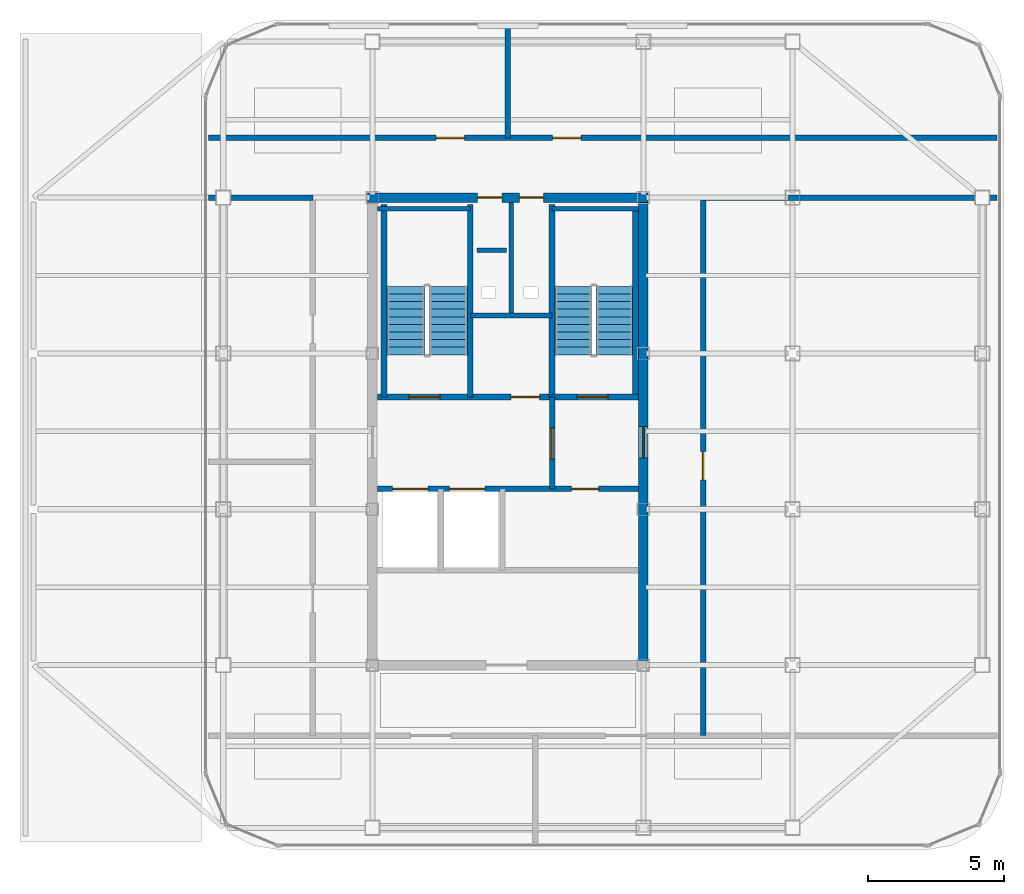
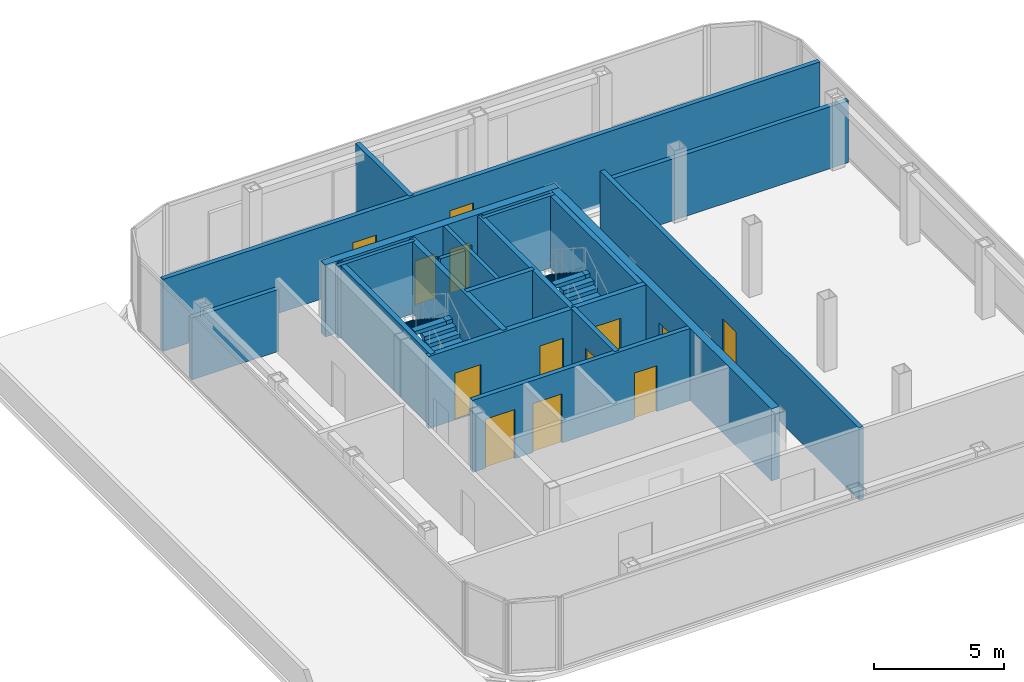
# One storey, part 10 of 11: 20 walls, 13 doors, 4 stair flights, 13 openings, 2 elements without a shape of their own.
"""IFC4 building model written with IfcOpenShell, lengths in metres."""

import ifcopenshell
import ifcopenshell.guid

model = None  # the IFC model being written
_history = None  # IfcOwnerHistory: only IFC2X3 demands one
_inside = {}  # id of a spatial element -> (the spatial element, [elements in it])
_under = {}  # id of a project, library or spatial element -> (it, [spatial elements below it])
_declared = {}  # id of a project -> (the project, [libraries it declares])
_typed = {}  # id of a type object -> (the type object, [elements of that type])
_made_of = {}  # id of a material, layer set ... -> (it, [elements and type objects made of it])


def new_model(schema):
    """Start an empty IFC model of exactly this schema.

    Asked for "IFC4X3", IfcOpenShell would pick the latest addendum, in which some entities
    have other attributes; the version numbers below select the first issue.
    IFC2X3 requires an IfcOwnerHistory on every rooted entity: one is made here for all.
    """
    global model, _history
    if schema == "IFC4X3":
        model = ifcopenshell.file(schema_version=(4, 3, 0, 0))
    else:
        model = ifcopenshell.file(schema=schema)
    _inside.clear()
    _under.clear()
    _declared.clear()
    _typed.clear()
    _made_of.clear()
    _history = None
    if model.schema == "IFC2X3":
        org = make("IfcOrganization", Name="unknown")
        user = make(
            "IfcPersonAndOrganization",
            ThePerson=make("IfcPerson", FamilyName="unknown"),
            TheOrganization=org,
        )
        app = make(
            "IfcApplication",
            ApplicationDeveloper=org,
            Version="unknown",
            ApplicationFullName="unknown",
            ApplicationIdentifier="unknown",
        )
        _history = make(
            "IfcOwnerHistory",
            OwningUser=user,
            OwningApplication=app,
            ChangeAction="ADDED",
            CreationDate=0,
        )
    return model


def make(cls, **values):
    """One entity of the class cls with the attributes given. An attribute that is None is left unset."""
    return model.create_entity(
        cls, **{name: value for name, value in values.items() if value is not None}
    )


def rooted(cls, **values):
    """An entity with a GlobalId (a new one), such as an element, a storey or a relation."""
    return make(cls, GlobalId=ifcopenshell.guid.new(), OwnerHistory=_history, **values)


def si_unit(unit_type, name, prefix=None):
    """IfcSIUnit, for example si_unit("LENGTHUNIT", "METRE", prefix="MILLI")."""
    return make("IfcSIUnit", UnitType=unit_type, Prefix=prefix, Name=name)


def assignment(units):
    """IfcUnitAssignment: the units of a project."""
    return None if units is None else make("IfcUnitAssignment", Units=units)


def point(xyz):
    """IfcCartesianPoint."""
    return None if xyz is None else make("IfcCartesianPoint", Coordinates=xyz)


def direction(xyz):
    """IfcDirection."""
    return None if xyz is None else make("IfcDirection", DirectionRatios=xyz)


def frame(location, z_axis=None, x_axis=None):
    """IfcAxis2Placement3D, a coordinate frame: its origin and axes. An axis left out is left unset."""
    return make(
        "IfcAxis2Placement3D",
        Location=point(location),
        Axis=direction(z_axis),
        RefDirection=direction(x_axis),
    )


def frame_2d(location, x_axis=None):
    """IfcAxis2Placement2D, a coordinate frame in the plane: its origin and x axis."""
    return make(
        "IfcAxis2Placement2D", Location=point(location), RefDirection=direction(x_axis)
    )


def origin():
    """The frame at (0, 0, 0) with its axes left unset."""
    return frame((0.0, 0.0, 0.0))


def place(relative_to, where):
    """IfcLocalPlacement: puts the frame where relative to a parent placement (None: the world)."""
    return make(
        "IfcLocalPlacement", PlacementRelTo=relative_to, RelativePlacement=where
    )


def context(
    kind, dimensions, precision=None, world=None, true_north=None, identifier=None
):
    """IfcGeometricRepresentationContext, for example the 3D "Model" context."""
    return make(
        "IfcGeometricRepresentationContext",
        ContextIdentifier=identifier,
        ContextType=kind,
        CoordinateSpaceDimension=dimensions,
        Precision=precision,
        WorldCoordinateSystem=world,
        TrueNorth=true_north,
    )


def subcontext(parent, identifier, kind, view, scale=None):
    """IfcGeometricRepresentationSubContext, for example "Body" below "Model"."""
    return make(
        "IfcGeometricRepresentationSubContext",
        ContextIdentifier=identifier,
        ContextType=kind,
        ParentContext=parent,
        TargetScale=scale,
        TargetView=view,
    )


def project(units=None, contexts=None):
    """IfcProject with its units and contexts."""
    return rooted(
        "IfcProject",
        Name="project",
        RepresentationContexts=contexts,
        UnitsInContext=assignment(units),
    )


def spatial(cls, under=None, at=None, **own):
    """A site, building, storey or space (cls), placed at a placement, below another one or the project."""
    s = rooted(cls, ObjectPlacement=at, **own)
    if under is not None:
        _under.setdefault(under.id(), (under, []))[1].append(s)
    return s


def polyline(points):
    """IfcPolyline through the points."""
    return make("IfcPolyline", Points=[point(p) for p in points])


def profile(cls, at=None, kind="AREA", **sizes):
    """A parametric profile (cls). Its sizes go by their IFC names, for example OverallWidth=200.0."""
    return make(cls, ProfileType=kind, Position=at, **sizes)


def rectangle(**sizes):
    """IfcRectangleProfileDef."""
    return profile("IfcRectangleProfileDef", **sizes)


def outline(outer, holes=None, kind="AREA"):
    """IfcArbitraryClosedProfileDef: a profile drawn as a closed curve; with holes, ...WithVoids."""
    if holes is None:
        return make("IfcArbitraryClosedProfileDef", ProfileType=kind, OuterCurve=outer)
    return make(
        "IfcArbitraryProfileDefWithVoids",
        ProfileType=kind,
        OuterCurve=outer,
        InnerCurves=holes,
    )


def extrude(swept, where, along, depth):
    """IfcExtrudedAreaSolid: the profile swept, set in the frame where, extruded along a direction by depth."""
    return make(
        "IfcExtrudedAreaSolid",
        SweptArea=swept,
        Position=where,
        ExtrudedDirection=direction(along),
        Depth=depth,
    )


def shape(context_of_items, identifier, shape_type, items):
    """IfcShapeRepresentation: the items that make up one representation, for example the "Body"."""
    return make(
        "IfcShapeRepresentation",
        ContextOfItems=context_of_items,
        RepresentationIdentifier=identifier,
        RepresentationType=shape_type,
        Items=items,
    )


def material(Name=None, Category=None):
    """IfcMaterial."""
    return make("IfcMaterial", Name=Name, Category=Category)


def layer(
    of_material, thickness, ventilated=None, Name=None, Category=None, Priority=None
):
    """IfcMaterialLayer: one layer of a wall or slab, of a material (None: an air gap)."""
    return make(
        "IfcMaterialLayer",
        Material=of_material,
        LayerThickness=thickness,
        IsVentilated=ventilated,
        Name=Name,
        Category=Category,
        Priority=Priority,
    )


def layer_set(layers, Name=None):
    """IfcMaterialLayerSet."""
    return make("IfcMaterialLayerSet", MaterialLayers=layers, LayerSetName=Name)


def made_of(thing, what):
    """Note that an element or type object is made of a material, layer set ...; save() writes the relation."""
    if what is not None:
        _made_of.setdefault(what.id(), (what, []))[1].append(thing)
    return thing


def type_object(cls, material=None, **own):
    """A type object (cls), such as IfcWallType, which elements share."""
    return made_of(rooted(cls, **own), material)


def element(
    cls,
    number,
    at=None,
    inside=None,
    cuts=None,
    type_object=None,
    material=None,
    context=None,
    identifier="Body",
    shape_type=None,
    held_by="IfcProductDefinitionShape",
    body=None,
    shapes=None,
    **own,
):
    """One element of the class cls, such as IfcWall. Its Tag is "e" and its number.

    at: its placement. inside: the storey or other place that contains it. cuts: it is an
    opening in that element (IfcRelVoidsElement). A single representation is given by context,
    identifier, shape_type and body (its items); several are given by shapes. held_by: the class
    of the entity that holds the representations. save() writes the other relations.
    """
    e = rooted(cls, Tag="e%d" % number, ObjectPlacement=at, **own)
    if body is not None:
        shapes = [shape(context, identifier, shape_type, body)]
    if shapes is not None:
        e.Representation = make(held_by, Representations=shapes)
    if inside is not None:
        _inside.setdefault(inside.id(), (inside, []))[1].append(e)
    if cuts is not None:
        rooted(
            "IfcRelVoidsElement", RelatingBuildingElement=cuts, RelatedOpeningElement=e
        )
    if type_object is not None:
        _typed.setdefault(type_object.id(), (type_object, []))[1].append(e)
    return made_of(e, material)


def fill(opening, filler):
    """IfcRelFillsElement: the door or window that sits in an opening."""
    return rooted(
        "IfcRelFillsElement",
        RelatingOpeningElement=opening,
        RelatedBuildingElement=filler,
    )


def aggregate(whole, parts):
    """IfcRelAggregates: a whole, such as a stair, and the parts it consists of."""
    return rooted("IfcRelAggregates", RelatingObject=whole, RelatedObjects=parts)


def save(model, path):
    """Write the relations noted so far, then the file.

    IfcRelAggregates (storeys below a building ...), IfcRelContainedInSpatialStructure (elements
    in a storey), IfcRelDefinesByType, IfcRelAssociatesMaterial and IfcRelDeclares: one each for
    every whole, place, type object, material and project.
    """
    for whole, parts in _under.values():
        aggregate(whole, parts)
    for where, things in _inside.values():
        rooted(
            "IfcRelContainedInSpatialStructure",
            RelatedElements=things,
            RelatingStructure=where,
        )
    for kind, things in _typed.values():
        rooted("IfcRelDefinesByType", RelatedObjects=things, RelatingType=kind)
    for what, things in _made_of.values():
        rooted("IfcRelAssociatesMaterial", RelatedObjects=things, RelatingMaterial=what)
    for by, libraries in _declared.values():
        rooted("IfcRelDeclares", RelatingContext=by, RelatedDefinitions=libraries)
    model.write(path)


model = new_model("IFC4")

# Units and contexts
model_context = context("Model", 3, precision=1e-05, world=origin(), true_north=direction((0.0, 1.0)))
body_context = subcontext(model_context, "Body", "Model", "MODEL_VIEW")
ifc_project = project(units=[si_unit("LENGTHUNIT", "METRE"), si_unit("AREAUNIT", "SQUARE_METRE"), si_unit("VOLUMEUNIT", "CUBIC_METRE"), si_unit("PLANEANGLEUNIT", "RADIAN"), si_unit("MASSUNIT", "GRAM", prefix="KILO")], contexts=[model_context])

# Site, building, storey
site_placement = place(None, origin())
site = spatial("IfcSite", under=ifc_project, at=site_placement, CompositionType="ELEMENT")
building_placement = place(site_placement, origin())
building = spatial("IfcBuilding", under=site, at=building_placement, Name="Kolveth Station Tower", CompositionType="ELEMENT")
storey_placement = place(building_placement, frame((0.0, 0.0, 278.5)))
storey = spatial("IfcBuildingStorey", under=building, at=storey_placement, Name="L80", CompositionType="ELEMENT", Elevation=278.5)

# Wall, openings, doors
ifc_material_1 = material(Name="Concrete C50/60", Category="concrete")
ifc_layer_1 = layer(ifc_material_1, 0.35009765625)
ifc_layer_set_1 = layer_set([ifc_layer_1], Name="Concrete C50/60")
wall_type_1 = type_object("IfcWallType", Name="Wall_CW-350", PredefinedType="SHEAR", material=ifc_layer_set_1)
wall_1_placement = place(storey_placement, frame((18.324951171875, 28.75, 0.0), z_axis=(0.0, 0.0, 1.0), x_axis=(1.0, 0.0, 0.0)))
wall_1 = element("IfcWall", 1, at=wall_1_placement, inside=storey, type_object=wall_type_1, Name="L80 Core RC Shear Wall N", PredefinedType="SHEAR", context=body_context, shape_type="SweptSolid", body=[
    extrude(rectangle(XDim=10.35009765625, YDim=0.35009765625, at=frame_2d((5.175048828125, 0.0))), origin(), (0.0, 0.0, 1.0), 3.3798828125),
])
opening_1_placement = place(wall_1_placement, frame((4.054931640625, 0.0, 0.0)))
opening_1 = element("IfcOpeningElement", 2, at=opening_1_placement, cuts=wall_1, Name="Opening RD1", PredefinedType="OPENING", context=body_context, shape_type="SweptSolid", body=[
    extrude(rectangle(XDim=0.89990234375, YDim=2.050048828125, at=frame_2d((0.449951171875, 1.02490234375))), frame((0.0, 0.18505859375, 0.0), z_axis=(0.0, -1.0, 0.0), x_axis=(1.0, 0.0, 0.0)), (0.0, 0.0, 1.0), 0.3701171875),
])
opening_2_placement = place(wall_1_placement, frame((5.594970703125, 0.0, 0.0)))
opening_2 = element("IfcOpeningElement", 3, at=opening_2_placement, cuts=wall_1, Name="Opening RD1", PredefinedType="OPENING", context=body_context, shape_type="SweptSolid", body=[
    extrude(rectangle(XDim=0.89990234375, YDim=2.050048828125, at=frame_2d((0.449951171875, 1.02490234375))), frame((0.0, 0.18505859375, 0.0), z_axis=(0.0, -1.0, 0.0), x_axis=(1.0, 0.0, 0.0)), (0.0, 0.0, 1.0), 0.3701171875),
])
ifc_material_2 = material(Name="Fire-rated Steel S355 riser access leaf", Category="steel")
door_type_1 = type_object("IfcDoorType", Name="Door_RD1", OperationType="NOTDEFINED", PredefinedType="DOOR", material=ifc_material_2)
door_1_placement = place(opening_1_placement, origin())
door_1 = element("IfcDoor", 4, at=door_1_placement, inside=storey, type_object=door_type_1, Name="L80 Electrical Riser Access Door", OperationType="SINGLE_SWING_LEFT", OverallHeight=2.050048828125, OverallWidth=0.89990234375, PredefinedType="DOOR", context=body_context, shape_type="SweptSolid", body=[
    extrude(rectangle(XDim=0.89990234375, YDim=2.050048828125, at=frame_2d((0.449951171875, 1.02490234375))), frame((0.0, 0.02490234375, 0.0), z_axis=(0.0, -1.0, 0.0), x_axis=(1.0, 0.0, 0.0)), (0.0, 0.0, 1.0), 0.050048828125),
])
fill(opening_1, door_1)
door_2_placement = place(opening_2_placement, origin())
door_2 = element("IfcDoor", 5, at=door_2_placement, inside=storey, type_object=door_type_1, Name="L80 Smoke Duct Access Door", OperationType="SINGLE_SWING_RIGHT", OverallHeight=2.050048828125, OverallWidth=0.89990234375, PredefinedType="DOOR", context=body_context, shape_type="SweptSolid", body=[
    extrude(rectangle(XDim=0.89990234375, YDim=2.050048828125, at=frame_2d((0.449951171875, 1.02490234375))), frame((0.0, 0.02490234375, 0.0), z_axis=(0.0, -1.0, 0.0), x_axis=(1.0, 0.0, 0.0)), (0.0, 0.0, 1.0), 0.050048828125),
])
fill(opening_2, door_2)

# Wall, opening, door
wall_2_placement = place(storey_placement, frame((28.5, 11.675048828125, 0.0), z_axis=(0.0, 0.0, 1.0), x_axis=(0.0, 1.0, 0.0)))
wall_2 = element("IfcWall", 6, at=wall_2_placement, inside=storey, type_object=wall_type_1, Name="L80 Core RC Shear Wall E", PredefinedType="SHEAR", context=body_context, shape_type="SweptSolid", body=[
    extrude(rectangle(XDim=16.89990234375, YDim=0.35009765625, at=frame_2d((8.449951171875, 0.0))), origin(), (0.0, 0.0, 1.0), 3.3798828125),
])
opening_3_placement = place(wall_2_placement, frame((7.47509765625, 0.0, 0.0)))
opening_3 = element("IfcOpeningElement", 7, at=opening_3_placement, cuts=wall_2, Name="Opening FD1", PredefinedType="OPENING", context=body_context, shape_type="SweptSolid", body=[
    extrude(rectangle(XDim=1.14990234375, YDim=2.199951171875, at=frame_2d((0.574951171875, 1.10009765625))), frame((0.0, 0.18505859375, 0.0), z_axis=(0.0, -1.0, 0.0), x_axis=(1.0, 0.0, 0.0)), (0.0, 0.0, 1.0), 0.3701171875),
])
ifc_material_3 = material(Name="Fire-rated Steel S355 leaf and frame", Category="steel")
door_type_2 = type_object("IfcDoorType", Name="Door_FD1", OperationType="NOTDEFINED", PredefinedType="DOOR", material=ifc_material_3)
door_3_placement = place(opening_3_placement, origin())
door_3 = element("IfcDoor", 8, at=door_3_placement, inside=storey, type_object=door_type_2, Name="L80 East Corridor to Stair Lobby Door", OperationType="SINGLE_SWING_RIGHT", OverallHeight=2.199951171875, OverallWidth=1.14990234375, PredefinedType="DOOR", context=body_context, shape_type="SweptSolid", body=[
    extrude(rectangle(XDim=1.14990234375, YDim=2.199951171875, at=frame_2d((0.574951171875, 1.10009765625))), frame((0.0, 0.02490234375, 0.0), z_axis=(0.0, -1.0, 0.0), x_axis=(1.0, 0.0, 0.0)), (0.0, 0.0, 1.0), 0.050048828125),
])
fill(opening_3, door_3)

# Walls
ifc_material_4 = material(Name="Acoustic double-stud gypsum partition")
ifc_layer_2 = layer(ifc_material_4, 0.1650390625)
ifc_layer_set_2 = layer_set([ifc_layer_2], Name="Acoustic double-stud gypsum partition")
wall_type_2 = type_object("IfcWallType", Name="Wall_IW-165", PredefinedType="PARTITIONING", material=ifc_layer_set_2)
wall_3_placement = place(storey_placement, frame((18.68505859375, 28.3349609375, 0.0), z_axis=(0.0, 0.0, 1.0), x_axis=(1.0, 0.0, 0.0)))
element("IfcWall", 9, at=wall_3_placement, inside=storey, type_object=wall_type_2, Name="L80 Stair Shaft Wall WL-L80-ST1-N", PredefinedType="PARTITIONING", context=body_context, shape_type="SweptSolid", body=[
    extrude(rectangle(XDim=3.425048828125, YDim=0.1650390625, at=frame_2d((1.71240234375, 0.0))), origin(), (0.0, 0.0, 1.0), 3.3798828125),
])
wall_4_placement = place(storey_placement, frame((25.1298828125, 28.3349609375, 0.0), z_axis=(0.0, 0.0, 1.0), x_axis=(1.0, 0.0, 0.0)))
element("IfcWall", 10, at=wall_4_placement, inside=storey, type_object=wall_type_2, Name="L80 Stair Shaft Wall WL-L80-ST2-N", PredefinedType="PARTITIONING", context=body_context, shape_type="SweptSolid", body=[
    extrude(rectangle(XDim=3.18505859375, YDim=0.1650390625, at=frame_2d((1.592529296875, 0.0))), origin(), (0.0, 0.0, 1.0), 3.3798828125),
])
wall_5_placement = place(storey_placement, frame((23.6201171875, 24.39990234375, 0.0), z_axis=(0.0, 0.0, 1.0), x_axis=(0.0, 1.0, 0.0)))
element("IfcWall", 11, at=wall_5_placement, inside=storey, type_object=wall_type_2, Name="L80 Partition Wall WL-L80-RSR-M", PredefinedType="PARTITIONING", context=body_context, shape_type="SweptSolid", body=[
    extrude(rectangle(XDim=4.1650390625, YDim=0.1650390625, at=frame_2d((2.08251953125, 0.0))), origin(), (0.0, 0.0, 1.0), 3.3798828125),
])
wall_6_placement = place(storey_placement, frame((22.35009765625, 26.800048828125, 0.0), z_axis=(0.0, 0.0, 1.0), x_axis=(1.0, 0.0, 0.0)))
element("IfcWall", 12, at=wall_6_placement, inside=storey, type_object=wall_type_2, Name="L80 Acoustic Riser Dry-Lining Wall", PredefinedType="PARTITIONING", context=body_context, shape_type="SweptSolid", body=[
    extrude(rectangle(XDim=1.099853515625, YDim=0.1650390625, at=frame_2d((0.5498046875, 0.0))), origin(), (0.0, 0.0, 1.0), 3.3798828125),
])
ifc_material_5 = material(Name="Acoustic fire-rated gypsum blockwork", Category="masonry")
ifc_layer_3 = layer(ifc_material_5, 0.199951171875)
ifc_layer_set_3 = layer_set([ifc_layer_3], Name="Acoustic fire-rated gypsum blockwork")
wall_type_3 = type_object("IfcWallType", Name="Wall_IW-200", PredefinedType="PARTITIONING", material=ifc_layer_set_3)
wall_7_placement = place(storey_placement, frame((22.110107421875, 24.39990234375, 0.0), z_axis=(0.0, 0.0, 1.0), x_axis=(1.0, 0.0, 0.0)))
element("IfcWall", 13, at=wall_7_placement, inside=storey, type_object=wall_type_3, Name="L80 Partition Wall WL-L80-RSR-S", PredefinedType="PARTITIONING", context=body_context, shape_type="SweptSolid", body=[
    extrude(rectangle(XDim=3.019775390625, YDim=0.199951171875, at=frame_2d((1.509765625, 0.0))), origin(), (0.0, 0.0, 1.0), 3.3798828125),
])

# Wall, opening, door
wall_8_placement = place(storey_placement, frame((25.1298828125, 18.0, 0.0), z_axis=(0.0, 0.0, 1.0), x_axis=(0.0, 1.0, 0.0)))
wall_8 = element("IfcWall", 14, at=wall_8_placement, inside=storey, type_object=wall_type_3, Name="L80 Partition Wall WL-L80-FFL-E", PredefinedType="PARTITIONING", context=body_context, shape_type="SweptSolid", body=[
    extrude(rectangle(XDim=3.389892578125, YDim=0.199951171875, at=frame_2d((1.69482421875, 0.0))), origin(), (0.0, 0.0, 1.0), 3.3798828125),
])
opening_4_placement = place(wall_8_placement, frame((1.10009765625, 0.0, 0.0)))
opening_4 = element("IfcOpeningElement", 15, at=opening_4_placement, cuts=wall_8, Name="Opening FD1", PredefinedType="OPENING", context=body_context, shape_type="SweptSolid", body=[
    extrude(rectangle(XDim=1.14990234375, YDim=2.199951171875, at=frame_2d((0.574951171875, 1.10009765625))), frame((0.0, 0.10986328125, 0.0), z_axis=(0.0, -1.0, 0.0), x_axis=(1.0, 0.0, 0.0)), (0.0, 0.0, 1.0), 0.219970703125),
])
door_4_placement = place(opening_4_placement, origin())
door_4 = element("IfcDoor", 16, at=door_4_placement, inside=storey, type_object=door_type_2, Name="L80 Firefighting to Stair Lobby Door", OperationType="SINGLE_SWING_LEFT", OverallHeight=2.199951171875, OverallWidth=1.14990234375, PredefinedType="DOOR", context=body_context, shape_type="SweptSolid", body=[
    extrude(rectangle(XDim=1.14990234375, YDim=2.199951171875, at=frame_2d((0.574951171875, 1.10009765625))), frame((0.0, 0.02490234375, 0.0), z_axis=(0.0, -1.0, 0.0), x_axis=(1.0, 0.0, 0.0)), (0.0, 0.0, 1.0), 0.050048828125),
])
fill(opening_4, door_4)

# Wall, openings, doors
wall_9_placement = place(storey_placement, frame((18.68505859375, 18.0, 0.0), z_axis=(0.0, 0.0, 1.0), x_axis=(1.0, 0.0, 0.0)))
wall_9 = element("IfcWall", 17, at=wall_9_placement, inside=storey, type_object=wall_type_3, Name="L80 Partition Wall WL-L80-FFL-S", PredefinedType="PARTITIONING", context=body_context, shape_type="SweptSolid", body=[
    extrude(rectangle(XDim=9.6298828125, YDim=0.199951171875, at=frame_2d((4.81494140625, 0.0))), origin(), (0.0, 0.0, 1.0), 3.3798828125),
])
opening_5_placement = place(wall_9_placement, frame((0.56494140625, 0.0, 0.0)))
opening_5 = element("IfcOpeningElement", 18, at=opening_5_placement, cuts=wall_9, Name="Opening LD2", PredefinedType="OPENING", context=body_context, shape_type="SweptSolid", body=[
    extrude(rectangle(XDim=1.300048828125, YDim=2.300048828125, at=frame_2d((0.64990234375, 1.14990234375))), frame((0.0, 0.10986328125, 0.0), z_axis=(0.0, -1.0, 0.0), x_axis=(1.0, 0.0, 0.0)), (0.0, 0.0, 1.0), 0.219970703125),
])
opening_6_placement = place(wall_9_placement, frame((2.6650390625, 0.0, 0.0)))
opening_6 = element("IfcOpeningElement", 19, at=opening_6_placement, cuts=wall_9, Name="Opening LD2", PredefinedType="OPENING", context=body_context, shape_type="SweptSolid", body=[
    extrude(rectangle(XDim=1.300048828125, YDim=2.300048828125, at=frame_2d((0.64990234375, 1.14990234375))), frame((0.0, 0.10986328125, 0.0), z_axis=(0.0, -1.0, 0.0), x_axis=(1.0, 0.0, 0.0)), (0.0, 0.0, 1.0), 0.219970703125),
])
opening_7_placement = place(wall_9_placement, frame((7.1650390625, 0.0, 0.0)))
opening_7 = element("IfcOpeningElement", 20, at=opening_7_placement, cuts=wall_9, Name="Opening FD3", PredefinedType="OPENING", context=body_context, shape_type="SweptSolid", body=[
    extrude(rectangle(XDim=1.0, YDim=2.14990234375, at=frame_2d((0.5, 1.074951171875))), frame((0.0, 0.10986328125, 0.0), z_axis=(0.0, -1.0, 0.0), x_axis=(1.0, 0.0, 0.0)), (0.0, 0.0, 1.0), 0.219970703125),
])
ifc_material_6 = material(Name="Fire-rated hardwood leaf and aluminium frame", Category="wood")
door_type_3 = type_object("IfcDoorType", Name="Door_FD3", OperationType="NOTDEFINED", PredefinedType="DOOR", material=ifc_material_6)
door_5_placement = place(opening_7_placement, frame((1.0, 0.0, 0.0), z_axis=(0.0, 0.0, 1.0), x_axis=(-1.0, 0.0, 0.0)))
door_5 = element("IfcDoor", 21, at=door_5_placement, inside=storey, type_object=door_type_3, Name="L80 Core Staff Pantry Door", OperationType="SINGLE_SWING_RIGHT", OverallHeight=2.14990234375, OverallWidth=1.0, PredefinedType="DOOR", context=body_context, shape_type="SweptSolid", body=[
    extrude(rectangle(XDim=1.0, YDim=2.14990234375, at=frame_2d((0.5, 1.074951171875))), frame((0.0, 0.02490234375, 0.0), z_axis=(0.0, -1.0, 0.0), x_axis=(1.0, 0.0, 0.0)), (0.0, 0.0, 1.0), 0.050048828125),
])
fill(opening_7, door_5)
ifc_material_7 = material(Name="Firefighting stainless steel sliding landing doors", Category="steel")
door_type_4 = type_object("IfcDoorType", Name="Door_LD2", OperationType="NOTDEFINED", PredefinedType="DOOR", material=ifc_material_7)
door_6_placement = place(opening_5_placement, origin())
door_6 = element("IfcDoor", 22, at=door_6_placement, inside=storey, type_object=door_type_4, Name="L80 Firefighting Lift FF1 Landing Door", OperationType="DOUBLE_DOOR_SLIDING", OverallHeight=2.300048828125, OverallWidth=1.300048828125, PredefinedType="DOOR", context=body_context, shape_type="SweptSolid", body=[
    extrude(rectangle(XDim=1.300048828125, YDim=2.300048828125, at=frame_2d((0.64990234375, 1.14990234375))), frame((0.0, 0.02490234375, 0.0), z_axis=(0.0, -1.0, 0.0), x_axis=(1.0, 0.0, 0.0)), (0.0, 0.0, 1.0), 0.050048828125),
])
fill(opening_5, door_6)
door_7_placement = place(opening_6_placement, origin())
door_7 = element("IfcDoor", 23, at=door_7_placement, inside=storey, type_object=door_type_4, Name="L80 Firefighting Lift FF2 Landing Door", OperationType="DOUBLE_DOOR_SLIDING", OverallHeight=2.300048828125, OverallWidth=1.300048828125, PredefinedType="DOOR", context=body_context, shape_type="SweptSolid", body=[
    extrude(rectangle(XDim=1.300048828125, YDim=2.300048828125, at=frame_2d((0.64990234375, 1.14990234375))), frame((0.0, 0.02490234375, 0.0), z_axis=(0.0, -1.0, 0.0), x_axis=(1.0, 0.0, 0.0)), (0.0, 0.0, 1.0), 0.050048828125),
])
fill(opening_6, door_7)

wall_10_placement = place(storey_placement, frame((12.449951171875, 30.949951171875, 0.0), z_axis=(0.0, 0.0, 1.0), x_axis=(1.0, 0.0, 0.0)))
wall_10 = element("IfcWall", 24, at=wall_10_placement, inside=storey, type_object=wall_type_3, Name="L80 Partition Wall WL-L80-PR-N", PredefinedType="PARTITIONING", context=body_context, shape_type="SweptSolid", body=[
    extrude(rectangle(XDim=29.10009765625, YDim=0.199951171875, at=frame_2d((14.550048828125, 0.0))), origin(), (0.0, 0.0, 1.0), 3.3798828125),
])
opening_8_placement = place(wall_10_placement, frame((8.39990234375, 0.0, 0.0)))
opening_8 = element("IfcOpeningElement", 25, at=opening_8_placement, cuts=wall_10, Name="Opening FD2", PredefinedType="OPENING", context=body_context, shape_type="SweptSolid", body=[
    extrude(rectangle(XDim=1.050048828125, YDim=2.14990234375, at=frame_2d((0.52490234375, 1.074951171875))), frame((0.0, 0.10986328125, 0.0), z_axis=(0.0, -1.0, 0.0), x_axis=(1.0, 0.0, 0.0)), (0.0, 0.0, 1.0), 0.219970703125),
])
opening_9_placement = place(wall_10_placement, frame((12.699951171875, 0.0, 0.0)))
opening_9 = element("IfcOpeningElement", 26, at=opening_9_placement, cuts=wall_10, Name="Opening FD2", PredefinedType="OPENING", context=body_context, shape_type="SweptSolid", body=[
    extrude(rectangle(XDim=1.050048828125, YDim=2.14990234375, at=frame_2d((0.52490234375, 1.074951171875))), frame((0.0, 0.10986328125, 0.0), z_axis=(0.0, -1.0, 0.0), x_axis=(1.0, 0.0, 0.0)), (0.0, 0.0, 1.0), 0.219970703125),
])
door_type_5 = type_object("IfcDoorType", Name="Door_FD2", OperationType="NOTDEFINED", PredefinedType="DOOR", material=ifc_material_3)
door_8_placement = place(opening_8_placement, origin())
door_8 = element("IfcDoor", 27, at=door_8_placement, inside=storey, type_object=door_type_5, Name="L80 Water Tank Room Door", OperationType="SINGLE_SWING_LEFT", OverallHeight=2.14990234375, OverallWidth=1.050048828125, PredefinedType="DOOR", context=body_context, shape_type="SweptSolid", body=[
    extrude(rectangle(XDim=1.050048828125, YDim=2.14990234375, at=frame_2d((0.52490234375, 1.074951171875))), frame((0.0, 0.02490234375, 0.0), z_axis=(0.0, -1.0, 0.0), x_axis=(1.0, 0.0, 0.0)), (0.0, 0.0, 1.0), 0.050048828125),
])
fill(opening_8, door_8)
door_9_placement = place(opening_9_placement, origin())
door_9 = element("IfcDoor", 28, at=door_9_placement, inside=storey, type_object=door_type_5, Name="L80 Elevator Machine Plant Room Door", OperationType="SINGLE_SWING_LEFT", OverallHeight=2.14990234375, OverallWidth=1.050048828125, PredefinedType="DOOR", context=body_context, shape_type="SweptSolid", body=[
    extrude(rectangle(XDim=1.050048828125, YDim=2.14990234375, at=frame_2d((0.52490234375, 1.074951171875))), frame((0.0, 0.02490234375, 0.0), z_axis=(0.0, -1.0, 0.0), x_axis=(1.0, 0.0, 0.0)), (0.0, 0.0, 1.0), 0.050048828125),
])
fill(opening_9, door_9)

# Wall, opening, door
wall_11_placement = place(storey_placement, frame((30.699951171875, 8.89990234375, 0.0), z_axis=(0.0, 0.0, 1.0), x_axis=(0.0, 1.0, 0.0)))
wall_11 = element("IfcWall", 29, at=wall_11_placement, inside=storey, type_object=wall_type_3, Name="L80 Partition Wall WL-L80-PR-E", PredefinedType="PARTITIONING", context=body_context, shape_type="SweptSolid", body=[
    extrude(rectangle(XDim=19.85009765625, YDim=0.199951171875, at=frame_2d((9.925048828125, 0.0))), origin(), (0.0, 0.0, 1.0), 3.3798828125),
])
opening_10_placement = place(wall_11_placement, frame((9.425048828125, 0.0, 0.0)))
opening_10 = element("IfcOpeningElement", 30, at=opening_10_placement, cuts=wall_11, Name="Opening FD2", PredefinedType="OPENING", context=body_context, shape_type="SweptSolid", body=[
    extrude(rectangle(XDim=1.050048828125, YDim=2.14990234375, at=frame_2d((0.52490234375, 1.074951171875))), frame((0.0, 0.10986328125, 0.0), z_axis=(0.0, -1.0, 0.0), x_axis=(1.0, 0.0, 0.0)), (0.0, 0.0, 1.0), 0.219970703125),
])
door_10_placement = place(opening_10_placement, origin())
door_10 = element("IfcDoor", 31, at=door_10_placement, inside=storey, type_object=door_type_5, Name="L80 Medium Voltage Switchgear Room Door", OperationType="SINGLE_SWING_LEFT", OverallHeight=2.14990234375, OverallWidth=1.050048828125, PredefinedType="DOOR", context=body_context, shape_type="SweptSolid", body=[
    extrude(rectangle(XDim=1.050048828125, YDim=2.14990234375, at=frame_2d((0.52490234375, 1.074951171875))), frame((0.0, 0.02490234375, 0.0), z_axis=(0.0, -1.0, 0.0), x_axis=(1.0, 0.0, 0.0)), (0.0, 0.0, 1.0), 0.050048828125),
])
fill(opening_10, door_10)

# Walls
wall_12_placement = place(storey_placement, frame((12.449951171875, 28.75, 0.0), z_axis=(0.0, 0.0, 1.0), x_axis=(1.0, 0.0, 0.0)))
element("IfcWall", 32, at=wall_12_placement, inside=storey, type_object=wall_type_3, Name="L80 Partition Wall WL-L80-CR-WN", PredefinedType="PARTITIONING", context=body_context, shape_type="SweptSolid", body=[
    extrude(rectangle(XDim=3.85009765625, YDim=0.199951171875, at=frame_2d((1.925048828125, 0.0))), origin(), (0.0, 0.0, 1.0), 2.905029296875),
])
wall_13_placement = place(storey_placement, frame((30.699951171875, 28.75, 0.0), z_axis=(0.0, 0.0, 1.0), x_axis=(1.0, 0.0, 0.0)))
element("IfcWall", 33, at=wall_13_placement, inside=storey, type_object=wall_type_3, Name="L80 Partition Wall WL-L80-CR-EN", PredefinedType="PARTITIONING", context=body_context, shape_type="SweptSolid", body=[
    extrude(rectangle(XDim=10.85009765625, YDim=0.199951171875, at=frame_2d((5.425048828125, 0.0))), origin(), (0.0, 0.0, 1.0), 2.905029296875),
])
wall_14_placement = place(storey_placement, frame((23.5, 30.949951171875, 0.0), z_axis=(0.0, 0.0, 1.0), x_axis=(0.0, 1.0, 0.0)))
element("IfcWall", 34, at=wall_14_placement, inside=storey, type_object=wall_type_3, Name="L80 Partition Wall WL-L80-CN-P1", PredefinedType="PARTITIONING", context=body_context, shape_type="SweptSolid", body=[
    extrude(rectangle(XDim=4.10009765625, YDim=0.199951171875, at=frame_2d((2.050048828125, 0.0))), origin(), (0.0, 0.0, 1.0), 3.3798828125),
])
ifc_material_8 = material(Name="Concrete C40/50", Category="concrete")
ifc_layer_4 = layer(ifc_material_8, 0.219970703125)
ifc_layer_set_4 = layer_set([ifc_layer_4], Name="Concrete C40/50")
wall_type_4 = type_object("IfcWallType", Name="Wall_IW-220", PredefinedType="SOLIDWALL", material=ifc_layer_set_4)
for number, where, z_axis, x_axis, name in (
    (35, (18.929931640625, 21.389892578125, 0.0), (0.0, 0.0, 1.0), (0.0, 1.0, 0.0), "L80 Stair Shaft Wall WL-L80-ST1-W"),
    (36, (22.110107421875, 21.389892578125, 0.0), (0.0, 0.0, 1.0), (0.0, 1.0, 0.0), "L80 Stair Shaft Wall WL-L80-ST1-E"),
    (37, (25.1298828125, 21.389892578125, 0.0), (0.0, 0.0, 1.0), (0.0, 1.0, 0.0), "L80 Stair Shaft Wall WL-L80-ST2-W"),
):
    element("IfcWall", number, at=place(storey_placement, frame(where, z_axis=z_axis, x_axis=x_axis)), inside=storey, type_object=wall_type_4, Name=name, PredefinedType="SOLIDWALL", context=body_context, shape_type="SweptSolid", body=[
        extrude(rectangle(XDim=7.110107421875, YDim=0.219970703125, at=frame_2d((3.55517578125, 0.0))), origin(), (0.0, 0.0, 1.0), 3.3798828125),
    ])
wall_15_placement = place(storey_placement, frame((28.2099609375, 21.389892578125, 0.0), z_axis=(0.0, 0.0, 1.0), x_axis=(0.0, 1.0, 0.0)))
element("IfcWall", 38, at=wall_15_placement, inside=storey, type_object=wall_type_4, Name="L80 Stair Shaft Wall WL-L80-ST2-E", PredefinedType="SOLIDWALL", context=body_context, shape_type="SweptSolid", body=[
    extrude(rectangle(XDim=6.945068359375, YDim=0.219970703125, at=frame_2d((3.47265625, 0.0))), origin(), (0.0, 0.0, 1.0), 3.3798828125),
])

# Wall, openings, doors
wall_16_placement = place(storey_placement, frame((18.68505859375, 21.389892578125, 0.0), z_axis=(0.0, 0.0, 1.0), x_axis=(1.0, 0.0, 0.0)))
wall_16 = element("IfcWall", 39, at=wall_16_placement, inside=storey, type_object=wall_type_4, Name="L80 Stair Shaft Wall WL-L80-ST1-S", PredefinedType="SOLIDWALL", context=body_context, shape_type="SweptSolid", body=[
    extrude(rectangle(XDim=6.44482421875, YDim=0.219970703125, at=frame_2d((3.222412109375, 0.0))), origin(), (0.0, 0.0, 1.0), 3.3798828125),
])
opening_11_placement = place(wall_16_placement, frame((1.1650390625, 0.0, 0.0)))
opening_11 = element("IfcOpeningElement", 40, at=opening_11_placement, cuts=wall_16, Name="Opening FD1", PredefinedType="OPENING", context=body_context, shape_type="SweptSolid", body=[
    extrude(rectangle(XDim=1.14990234375, YDim=2.199951171875, at=frame_2d((0.574951171875, 1.10009765625))), frame((0.0, 0.119873046875, 0.0), z_axis=(0.0, -1.0, 0.0), x_axis=(1.0, 0.0, 0.0)), (0.0, 0.0, 1.0), 0.239990234375),
])
opening_12_placement = place(wall_16_placement, frame((4.93505859375, 0.0, 0.0)))
opening_12 = element("IfcOpeningElement", 41, at=opening_12_placement, cuts=wall_16, Name="Opening FD2", PredefinedType="OPENING", context=body_context, shape_type="SweptSolid", body=[
    extrude(rectangle(XDim=1.050048828125, YDim=2.14990234375, at=frame_2d((0.52490234375, 1.074951171875))), frame((0.0, 0.119873046875, 0.0), z_axis=(0.0, -1.0, 0.0), x_axis=(1.0, 0.0, 0.0)), (0.0, 0.0, 1.0), 0.239990234375),
])
door_11_placement = place(opening_11_placement, frame((1.14990234375, 0.0, 0.0), z_axis=(0.0, 0.0, 1.0), x_axis=(-1.0, 0.0, 0.0)))
door_11 = element("IfcDoor", 42, at=door_11_placement, inside=storey, type_object=door_type_2, Name="L80 Stair ST1 Fire Door", OperationType="SINGLE_SWING_RIGHT", OverallHeight=2.199951171875, OverallWidth=1.14990234375, PredefinedType="DOOR", context=body_context, shape_type="SweptSolid", body=[
    extrude(rectangle(XDim=1.14990234375, YDim=2.199951171875, at=frame_2d((0.574951171875, 1.10009765625))), frame((0.0, 0.02490234375, 0.0), z_axis=(0.0, -1.0, 0.0), x_axis=(1.0, 0.0, 0.0)), (0.0, 0.0, 1.0), 0.050048828125),
])
fill(opening_11, door_11)
door_12_placement = place(opening_12_placement, origin())
door_12 = element("IfcDoor", 43, at=door_12_placement, inside=storey, type_object=door_type_5, Name="L80 Crown Control Room Door", OperationType="SINGLE_SWING_LEFT", OverallHeight=2.14990234375, OverallWidth=1.050048828125, PredefinedType="DOOR", context=body_context, shape_type="SweptSolid", body=[
    extrude(rectangle(XDim=1.050048828125, YDim=2.14990234375, at=frame_2d((0.52490234375, 1.074951171875))), frame((0.0, 0.02490234375, 0.0), z_axis=(0.0, -1.0, 0.0), x_axis=(1.0, 0.0, 0.0)), (0.0, 0.0, 1.0), 0.050048828125),
])
fill(opening_12, door_12)

# Wall, opening, door
wall_17_placement = place(storey_placement, frame((25.1298828125, 21.389892578125, 0.0), z_axis=(0.0, 0.0, 1.0), x_axis=(1.0, 0.0, 0.0)))
wall_17 = element("IfcWall", 44, at=wall_17_placement, inside=storey, type_object=wall_type_4, Name="L80 Stair Shaft Wall WL-L80-ST2-S", PredefinedType="SOLIDWALL", context=body_context, shape_type="SweptSolid", body=[
    extrude(rectangle(XDim=3.18505859375, YDim=0.219970703125, at=frame_2d((1.592529296875, 0.0))), origin(), (0.0, 0.0, 1.0), 3.3798828125),
])
opening_13_placement = place(wall_17_placement, frame((0.919921875, 0.0, 0.0)))
opening_13 = element("IfcOpeningElement", 45, at=opening_13_placement, cuts=wall_17, Name="Opening FD1", PredefinedType="OPENING", context=body_context, shape_type="SweptSolid", body=[
    extrude(rectangle(XDim=1.14990234375, YDim=2.199951171875, at=frame_2d((0.574951171875, 1.10009765625))), frame((0.0, 0.119873046875, 0.0), z_axis=(0.0, -1.0, 0.0), x_axis=(1.0, 0.0, 0.0)), (0.0, 0.0, 1.0), 0.239990234375),
])
door_13_placement = place(opening_13_placement, frame((1.14990234375, 0.0, 0.0), z_axis=(0.0, 0.0, 1.0), x_axis=(-1.0, 0.0, 0.0)))
door_13 = element("IfcDoor", 46, at=door_13_placement, inside=storey, type_object=door_type_2, Name="L80 Stair ST2 Fire Door", OperationType="SINGLE_SWING_LEFT", OverallHeight=2.199951171875, OverallWidth=1.14990234375, PredefinedType="DOOR", context=body_context, shape_type="SweptSolid", body=[
    extrude(rectangle(XDim=1.14990234375, YDim=2.199951171875, at=frame_2d((0.574951171875, 1.10009765625))), frame((0.0, 0.02490234375, 0.0), z_axis=(0.0, -1.0, 0.0), x_axis=(1.0, 0.0, 0.0)), (0.0, 0.0, 1.0), 0.050048828125),
])
fill(opening_13, door_13)

# Stair, stair flights
stair_type_1 = type_object("IfcStairType", Name="Stair_ST1", PredefinedType="HALF_TURN_STAIR", material=ifc_material_8)
stair_1_placement = place(storey_placement, origin())
stair_1 = element("IfcStair", 47, at=stair_1_placement, inside=storey, type_object=stair_type_1, Name="L80 Tower Exit Stair ST1", PredefinedType="HALF_TURN_STAIR")
ifc_layer_5 = layer(ifc_material_8, 0.179931640625)
ifc_layer_set_5 = layer_set([ifc_layer_5], Name="Concrete C40/50")
stair_flight_type_1 = type_object("IfcStairFlightType", Name="Flight_ST1", PredefinedType="STRAIGHT", material=ifc_layer_set_5)
stair_flight_1_placement = place(storey_placement, frame((21.300048828125, 22.949951171875, 0.0), z_axis=(0.0, 0.0, 1.0), x_axis=(0.0, 1.0, 0.0)))
stair_flight_1 = element("IfcStairFlight", 48, at=stair_flight_1_placement, type_object=stair_flight_type_1, Name="ST1 flight 1", NumberOfRisers=10, NumberOfTreads=9, PredefinedType="STRAIGHT", RiserHeight=0.18, TreadLength=0.28, context=body_context, shape_type="SweptSolid", body=[
    extrude(outline(polyline([(0.0, 0.0), (0.0, 0.179931640625), (0.280029296875, 0.179931640625), (0.280029296875, 0.360107421875), (0.56005859375, 0.360107421875), (0.56005859375, 0.5400390625), (0.840087890625, 0.5400390625), (0.840087890625, 0.719970703125), (1.1201171875, 0.719970703125), (1.1201171875, 0.89990234375), (1.39990234375, 0.89990234375), (1.39990234375, 1.080078125), (1.679931640625, 1.080078125), (1.679931640625, 1.260009765625), (1.9599609375, 1.260009765625), (1.9599609375, 1.43994140625), (2.239990234375, 1.43994140625), (2.239990234375, 1.6201171875), (2.52001953125, 1.6201171875), (2.52001953125, 1.800048828125), (2.52001953125, 1.44189453125), (0.277099609375, 0.0), (0.0, 0.0)])), frame((0.0, 0.699951171875, 0.0), z_axis=(0.0, -1.0, 0.0), x_axis=(1.0, 0.0, 0.0)), (0.0, 0.0, 1.0), 1.39990234375),
])
stair_flight_2_placement = place(storey_placement, frame((19.739990234375, 25.469970703125, 1.800048828125), z_axis=(0.0, 0.0, 1.0), x_axis=(0.0, -1.0, 0.0)))
stair_flight_2 = element("IfcStairFlight", 49, at=stair_flight_2_placement, type_object=stair_flight_type_1, Name="ST1 flight 2", NumberOfRisers=10, NumberOfTreads=9, PredefinedType="STRAIGHT", RiserHeight=0.18, TreadLength=0.28, context=body_context, shape_type="SweptSolid", body=[
    extrude(outline(polyline([(0.0, 0.0), (0.0, 0.179931640625), (0.280029296875, 0.179931640625), (0.280029296875, 0.360107421875), (0.56005859375, 0.360107421875), (0.56005859375, 0.5400390625), (0.840087890625, 0.5400390625), (0.840087890625, 0.719970703125), (1.1201171875, 0.719970703125), (1.1201171875, 0.89990234375), (1.39990234375, 0.89990234375), (1.39990234375, 1.080078125), (1.679931640625, 1.080078125), (1.679931640625, 1.260009765625), (1.9599609375, 1.260009765625), (1.9599609375, 1.43994140625), (2.239990234375, 1.43994140625), (2.239990234375, 1.6201171875), (2.52001953125, 1.6201171875), (2.52001953125, 1.800048828125), (2.52001953125, 1.44189453125), (0.277099609375, 0.0), (0.0, 0.0)])), frame((0.0, 0.699951171875, 0.0), z_axis=(0.0, -1.0, 0.0), x_axis=(1.0, 0.0, 0.0)), (0.0, 0.0, 1.0), 1.39990234375),
])
aggregate(stair_1, [stair_flight_1, stair_flight_2])

stair_type_2 = type_object("IfcStairType", Name="Stair_ST2", PredefinedType="HALF_TURN_STAIR", material=ifc_material_8)
stair_2_placement = place(storey_placement, origin())
stair_2 = element("IfcStair", 50, at=stair_2_placement, inside=storey, type_object=stair_type_2, Name="L80 Tower Exit Stair ST2", PredefinedType="HALF_TURN_STAIR")
ifc_layer_6 = layer(ifc_material_8, 0.179931640625)
ifc_layer_set_6 = layer_set([ifc_layer_6], Name="Concrete C40/50")
stair_flight_type_2 = type_object("IfcStairFlightType", Name="Flight_ST2", PredefinedType="STRAIGHT", material=ifc_layer_set_6)
stair_flight_3_placement = place(storey_placement, frame((27.425048828125, 22.949951171875, 0.0), z_axis=(0.0, 0.0, 1.0), x_axis=(0.0, 1.0, 0.0)))
stair_flight_3 = element("IfcStairFlight", 51, at=stair_flight_3_placement, type_object=stair_flight_type_2, Name="ST2 flight 1", NumberOfRisers=10, NumberOfTreads=9, PredefinedType="STRAIGHT", RiserHeight=0.18, TreadLength=0.28, context=body_context, shape_type="SweptSolid", body=[
    extrude(outline(polyline([(0.0, 0.0), (0.0, 0.179931640625), (0.280029296875, 0.179931640625), (0.280029296875, 0.360107421875), (0.56005859375, 0.360107421875), (0.56005859375, 0.5400390625), (0.840087890625, 0.5400390625), (0.840087890625, 0.719970703125), (1.1201171875, 0.719970703125), (1.1201171875, 0.89990234375), (1.39990234375, 0.89990234375), (1.39990234375, 1.080078125), (1.679931640625, 1.080078125), (1.679931640625, 1.260009765625), (1.9599609375, 1.260009765625), (1.9599609375, 1.43994140625), (2.239990234375, 1.43994140625), (2.239990234375, 1.6201171875), (2.52001953125, 1.6201171875), (2.52001953125, 1.800048828125), (2.52001953125, 1.44189453125), (0.277099609375, 0.0), (0.0, 0.0)])), frame((0.0, 0.675048828125, 0.0), z_axis=(0.0, -1.0, 0.0), x_axis=(1.0, 0.0, 0.0)), (0.0, 0.0, 1.0), 1.35009765625),
])
stair_flight_4_placement = place(storey_placement, frame((25.9150390625, 25.469970703125, 1.800048828125), z_axis=(0.0, 0.0, 1.0), x_axis=(0.0, -1.0, 0.0)))
stair_flight_4 = element("IfcStairFlight", 52, at=stair_flight_4_placement, type_object=stair_flight_type_2, Name="ST2 flight 2", NumberOfRisers=10, NumberOfTreads=9, PredefinedType="STRAIGHT", RiserHeight=0.18, TreadLength=0.28, context=body_context, shape_type="SweptSolid", body=[
    extrude(outline(polyline([(0.0, 0.0), (0.0, 0.179931640625), (0.280029296875, 0.179931640625), (0.280029296875, 0.360107421875), (0.56005859375, 0.360107421875), (0.56005859375, 0.5400390625), (0.840087890625, 0.5400390625), (0.840087890625, 0.719970703125), (1.1201171875, 0.719970703125), (1.1201171875, 0.89990234375), (1.39990234375, 0.89990234375), (1.39990234375, 1.080078125), (1.679931640625, 1.080078125), (1.679931640625, 1.260009765625), (1.9599609375, 1.260009765625), (1.9599609375, 1.43994140625), (2.239990234375, 1.43994140625), (2.239990234375, 1.6201171875), (2.52001953125, 1.6201171875), (2.52001953125, 1.800048828125), (2.52001953125, 1.44189453125), (0.277099609375, 0.0), (0.0, 0.0)])), frame((0.0, 0.675048828125, 0.0), z_axis=(0.0, -1.0, 0.0), x_axis=(1.0, 0.0, 0.0)), (0.0, 0.0, 1.0), 1.35009765625),
])
aggregate(stair_2, [stair_flight_3, stair_flight_4])

save(model, "model.ifc")
